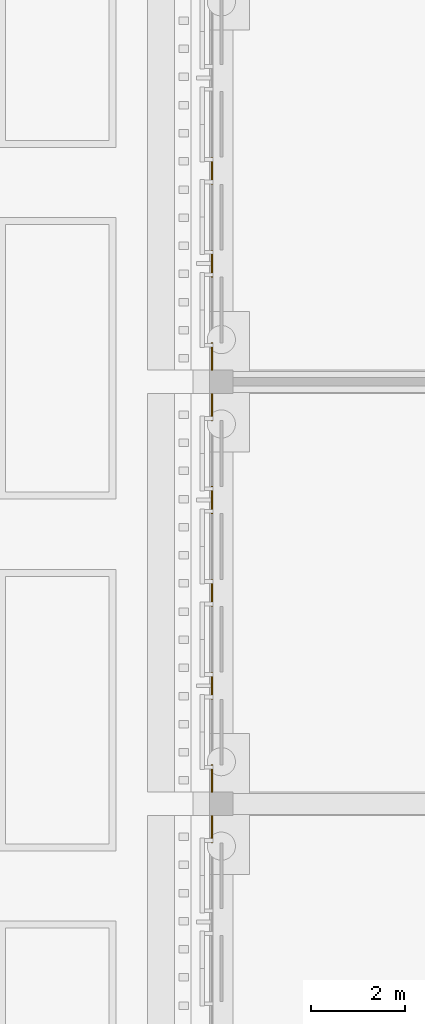
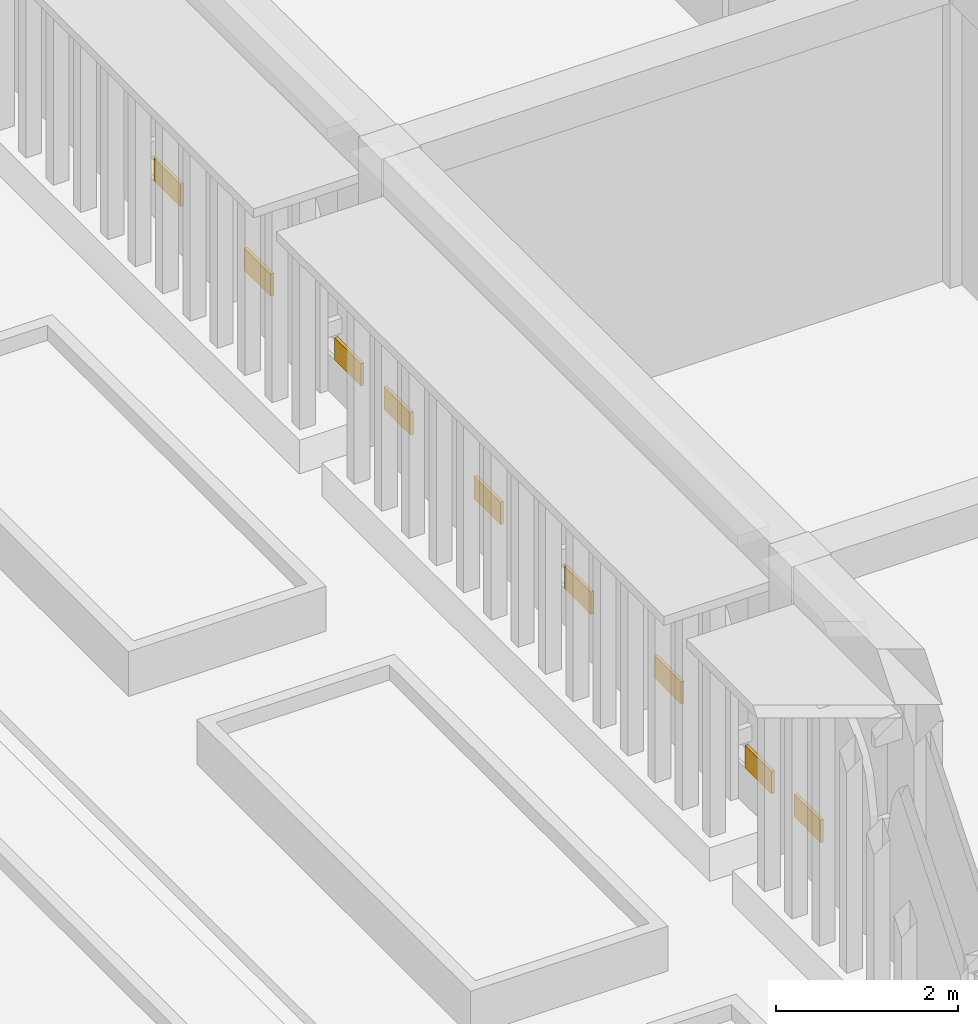
# One storey, part 155 of 161: 9 coverings.
"""IFC4 building model written with IfcOpenShell, lengths in metres."""

from ifc_helpers import new_model, si_unit, direction, frame, origin, origin_2d, place, context, subcontext, project, spatial, rectangle, extrude, material, layer, layer_set, type_object, element, save


model = new_model("IFC4")

# Units and contexts
model_context = context("Model", 3, precision=1e-05, world=origin(), true_north=direction((0.0, 1.0)))
body_context = subcontext(model_context, "Body", "Model", "MODEL_VIEW")
ifc_project = project(units=[si_unit("LENGTHUNIT", "METRE"), si_unit("AREAUNIT", "SQUARE_METRE"), si_unit("VOLUMEUNIT", "CUBIC_METRE"), si_unit("PLANEANGLEUNIT", "RADIAN"), si_unit("MASSUNIT", "GRAM", prefix="KILO")], contexts=[model_context])

# Site, building, storey
site_placement = place(None, origin())
site = spatial("IfcSite", under=ifc_project, at=site_placement, CompositionType="ELEMENT")
building_placement = place(site_placement, origin())
building = spatial("IfcBuilding", under=site, at=building_placement, Name="Elbe Cascade School", CompositionType="ELEMENT")
storey_placement = place(building_placement, origin())
storey = spatial("IfcBuildingStorey", under=building, at=storey_placement, Name="L00", CompositionType="ELEMENT", Elevation=0.0)

# Coverings
ifc_material = material(Name="Sandstone - red", Category="masonry")
ifc_layer = layer(ifc_material, 0.0400390625)
ifc_layer_set = layer_set([ifc_layer], Name="Sandstone - red")
covering_type = type_object("IfcCoveringType", Name="Bars envelope Sandstone cladding, red, 40 mm", PredefinedType="CLADDING", material=ifc_layer_set)
for number, where, z_axis, x_axis, name in (
    (1, (128.0, 23.4599609375, 0.89990234375), (0.0, 0.0, 1.0), (0.0, 1.0, 0.0), "Sandstone cladding CV48 C.L00.w.2.6"),
    (2, (128.0, 24.5400390625, 0.89990234375), (0.0, 0.0, 1.0), (0.0, 1.0, 0.0), "Sandstone cladding CV48 C.L00.w.3.2"),
    (3, (128.0, 26.52001953125, 0.89990234375), (0.0, 0.0, 1.0), (0.0, 1.0, 0.0), "Sandstone cladding CV48 C.L00.w.3.3"),
    (4, (128.0, 28.5, 0.89990234375), (0.0, 0.0, 1.0), (0.0, 1.0, 0.0), "Sandstone cladding CV48 C.L00.w.3.4"),
    (5, (128.0, 30.47998046875, 0.89990234375), (0.0, 0.0, 1.0), (0.0, 1.0, 0.0), "Sandstone cladding CV48 C.L00.w.3.5"),
    (6, (128.0, 32.4599609375, 0.89990234375), (0.0, 0.0, 1.0), (0.0, 1.0, 0.0), "Sandstone cladding CV48 C.L00.w.3.6"),
    (7, (128.0, 33.5400390625, 0.89990234375), (0.0, 0.0, 1.0), (0.0, 1.0, 0.0), "Sandstone cladding CV48 C.L00.w.4.2"),
    (8, (128.0, 35.52001953125, 0.89990234375), (0.0, 0.0, 1.0), (0.0, 1.0, 0.0), "Sandstone cladding CV48 C.L00.w.4.3"),
    (9, (128.0, 37.5, 0.89990234375), (0.0, 0.0, 1.0), (0.0, 1.0, 0.0), "Sandstone cladding CV48 C.L00.w.4.4"),
):
    element("IfcCovering", number, at=place(storey_placement, frame(where, z_axis=z_axis, x_axis=x_axis)), inside=storey, type_object=covering_type, Name=name, PredefinedType="CLADDING", context=body_context, shape_type="SweptSolid", body=[
        extrude(rectangle(XDim=0.580078125, YDim=0.0400390625, at=origin_2d()), origin(), (0.0, 0.0, 1.0), 0.300048828125),
    ])

save(model, "model.ifc")
